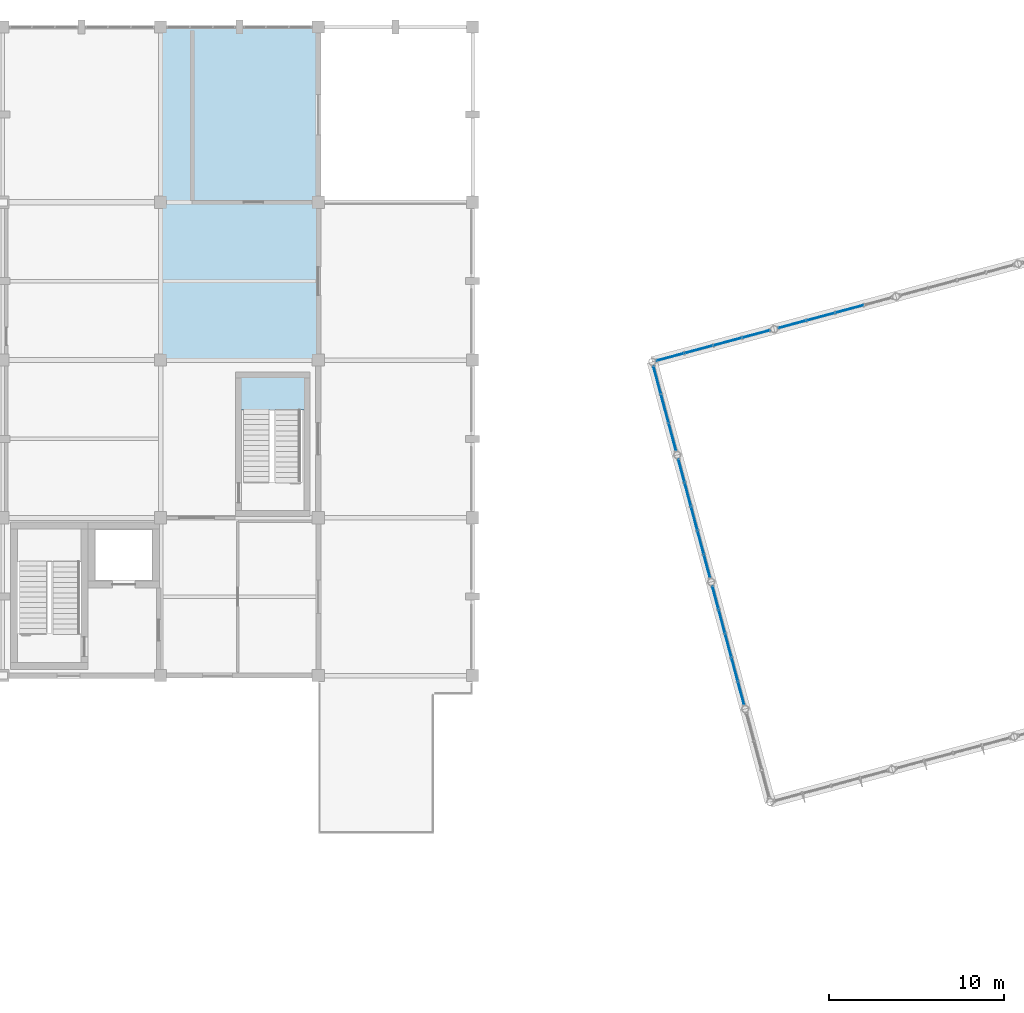
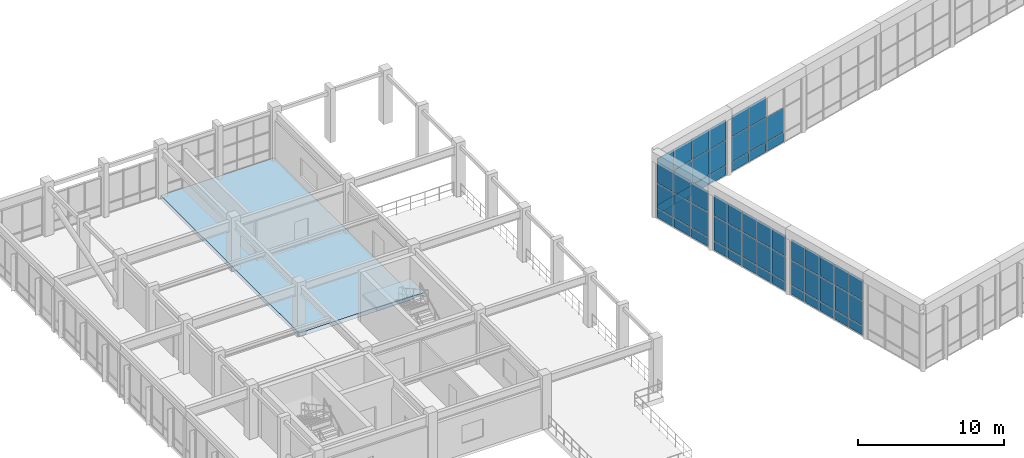
# One storey, part 39 of 55: 59 plates, 2 slabs, 6 elements without a shape of their own.
"""IFC4 building model written with IfcOpenShell, lengths in metres."""

from ifc_helpers import new_model, si_unit, direction, frame, origin, origin_2d, place, context, subcontext, project, spatial, polyline, rectangle, outline, extrude, material, layer, layer_set, type_object, element, aggregate, save


model = new_model("IFC4")

# Units and contexts
model_context = context("Model", 3, precision=1e-05, world=origin(), true_north=direction((0.0, 1.0)))
body_context = subcontext(model_context, "Body", "Model", "MODEL_VIEW")
ifc_project = project(units=[si_unit("LENGTHUNIT", "METRE"), si_unit("AREAUNIT", "SQUARE_METRE"), si_unit("VOLUMEUNIT", "CUBIC_METRE"), si_unit("PLANEANGLEUNIT", "RADIAN"), si_unit("MASSUNIT", "GRAM", prefix="KILO")], contexts=[model_context])

# Site, building, storey
site_placement = place(None, origin())
site = spatial("IfcSite", under=ifc_project, at=site_placement, CompositionType="ELEMENT")
building_placement = place(site_placement, origin())
building = spatial("IfcBuilding", under=site, at=building_placement, Name="Ventoquebrada Cableway Terminal", CompositionType="ELEMENT")
storey_placement = place(building_placement, frame((0.0, 0.0, 14.39990234375)))
storey = spatial("IfcBuildingStorey", under=building, at=storey_placement, Name="L03", CompositionType="ELEMENT", Elevation=14.39990234375)

# Curtain wall, plates
ifc_material_1 = material(Name="Anodized thermally-broken aluminium", Category="aluminium")
ifc_layer_1 = layer(ifc_material_1, 0.159912109375)
ifc_layer_set_1 = layer_set([ifc_layer_1], Name="Anodized thermally-broken aluminium")
curtain_wall_type_1 = type_object("IfcCurtainWallType", Name="CW-T42", PredefinedType="USERDEFINED", material=ifc_layer_set_1)
curtain_wall_1_placement = place(storey_placement, origin())
curtain_wall_1 = element("IfcCurtainWall", 1, at=curtain_wall_1_placement, inside=storey, type_object=curtain_wall_type_1, Name="Unitised glazed curtain wall CW-120", ObjectType="UNITISED CURTAIN WALL", PredefinedType="USERDEFINED")
ifc_material_2 = material(Name="Double low-e laminated safety glazing", Category="glass")
ifc_layer_2 = layer(ifc_material_2, 0.031982421875)
ifc_layer_set_2 = layer_set([ifc_layer_2], Name="Double low-e laminated safety glazing")
plate_type_1 = type_object("IfcPlateType", Name="CWP-GL1", PredefinedType="CURTAIN_PANEL", material=ifc_layer_set_2)
plate_1_placement = place(storey_placement, frame((51.166015625, 96.48388671875, 2.9697265625), z_axis=(0.0, 0.0, 1.0), x_axis=(-0.965912273231, -0.258869620506, 0.0)))
plate_1 = element("IfcPlate", 2, at=plate_1_placement, type_object=plate_type_1, Name="Vision glazing panel PN-1253", PredefinedType="CURTAIN_PANEL", context=body_context, shape_type="SweptSolid", body=[
    extrude(rectangle(XDim=1.60205078125, YDim=0.031982421875, at=origin_2d()), origin(), (0.0, 0.0, 1.0), 1.720947265625),
])
plate_2_placement = place(storey_placement, frame((49.544921875, 96.049072265625, 0.874267578125), z_axis=(0.0, 0.0, 1.0), x_axis=(-0.965912273231, -0.258869620506, 0.0)))
plate_2 = element("IfcPlate", 3, at=plate_2_placement, type_object=plate_type_1, Name="Vision glazing panel PN-1255", PredefinedType="CURTAIN_PANEL", context=body_context, shape_type="SweptSolid", body=[
    extrude(rectangle(XDim=1.636962890625, YDim=0.031982421875, at=origin_2d()), origin(), (0.0, 0.0, 1.0), 2.0458984375),
])
plate_3_placement = place(storey_placement, frame((47.906982421875, 95.611083984375, 2.9697265625), z_axis=(0.0, 0.0, 1.0), x_axis=(-0.965912273231, -0.258869620506, 0.0)))
plate_3 = element("IfcPlate", 4, at=plate_3_placement, type_object=plate_type_1, Name="Vision glazing panel PN-1259", PredefinedType="CURTAIN_PANEL", context=body_context, shape_type="SweptSolid", body=[
    extrude(rectangle(XDim=1.636962890625, YDim=0.031982421875, at=origin_2d()), origin(), (0.0, 0.0, 1.0), 1.720947265625),
])
plate_4_placement = place(storey_placement, frame((46.285888671875, 95.176025390625, 0.874267578125), z_axis=(0.0, 0.0, 1.0), x_axis=(-0.965912273231, -0.258869620506, 0.0)))
plate_4 = element("IfcPlate", 5, at=plate_4_placement, type_object=plate_type_1, Name="Vision glazing panel PN-1261", PredefinedType="CURTAIN_PANEL", context=body_context, shape_type="SweptSolid", body=[
    extrude(rectangle(XDim=1.60205078125, YDim=0.031982421875, at=origin_2d()), origin(), (0.0, 0.0, 1.0), 2.0458984375),
])

curtain_wall_2_placement = place(storey_placement, origin())
curtain_wall_2 = element("IfcCurtainWall", 6, at=curtain_wall_2_placement, inside=storey, type_object=curtain_wall_type_1, Name="Unitised glazed curtain wall CW-121", ObjectType="UNITISED CURTAIN WALL", PredefinedType="USERDEFINED")
plate_5_placement = place(storey_placement, frame((56.4990234375, 97.9130859375, 0.874267578125), z_axis=(0.0, 0.0, 1.0), x_axis=(-0.965957439792, -0.258701033069, 0.0)))
plate_5 = element("IfcPlate", 7, at=plate_5_placement, type_object=plate_type_1, Name="Vision glazing panel PN-1267", PredefinedType="CURTAIN_PANEL", context=body_context, shape_type="SweptSolid", body=[
    extrude(rectangle(XDim=1.636962890625, YDim=0.031982421875, at=origin_2d()), origin(), (0.0, 0.0, 1.0), 2.0458984375),
])
plate_6_placement = place(storey_placement, frame((54.861083984375, 97.47412109375, 2.9697265625), z_axis=(0.0, 0.0, 1.0), x_axis=(-0.965957439792, -0.258701033069, 0.0)))
plate_6 = element("IfcPlate", 8, at=plate_6_placement, type_object=plate_type_1, Name="Vision glazing panel PN-1271", PredefinedType="CURTAIN_PANEL", context=body_context, shape_type="SweptSolid", body=[
    extrude(rectangle(XDim=1.636962890625, YDim=0.031982421875, at=origin_2d()), origin(), (0.0, 0.0, 1.0), 1.720947265625),
])
plate_7_placement = place(storey_placement, frame((53.239990234375, 97.0400390625, 0.874267578125), z_axis=(0.0, 0.0, 1.0), x_axis=(-0.965957439792, -0.258701033069, 0.0)))
plate_7 = element("IfcPlate", 9, at=plate_7_placement, type_object=plate_type_1, Name="Vision glazing panel PN-1273", PredefinedType="CURTAIN_PANEL", context=body_context, shape_type="SweptSolid", body=[
    extrude(rectangle(XDim=1.60205078125, YDim=0.031982421875, at=origin_2d()), origin(), (0.0, 0.0, 1.0), 2.0458984375),
])

ifc_layer_3 = layer(ifc_material_1, 0.159912109375)
ifc_layer_set_3 = layer_set([ifc_layer_3], Name="Anodized thermally-broken aluminium")
curtain_wall_type_2 = type_object("IfcCurtainWallType", Name="CW-T44", PredefinedType="USERDEFINED", material=ifc_layer_set_3)
curtain_wall_3_placement = place(storey_placement, origin())
curtain_wall_3 = element("IfcCurtainWall", 10, at=curtain_wall_3_placement, inside=storey, type_object=curtain_wall_type_2, Name="Unitised glazed curtain wall CW-126", ObjectType="UNITISED CURTAIN WALL", PredefinedType="USERDEFINED")
plate_8_placement = place(storey_placement, frame((48.85498046875, 81.43896484375, 2.974609375), z_axis=(0.0, 0.0, 1.0), x_axis=(0.258785327773, -0.96593486019, 0.0)))
plate_8 = element("IfcPlate", 11, at=plate_8_placement, type_object=plate_type_1, Name="Vision glazing panel PN-1322", PredefinedType="CURTAIN_PANEL", context=body_context, shape_type="SweptSolid", body=[
    extrude(rectangle(XDim=1.322998046875, YDim=0.031982421875, at=origin_2d()), origin(), (0.0, 0.0, 1.0), 1.7109375),
])
plate_9_placement = place(storey_placement, frame((49.217041015625, 80.087890625, 0.87939453125), z_axis=(0.0, 0.0, 1.0), x_axis=(0.258785327773, -0.96593486019, 0.0)))
plate_9 = element("IfcPlate", 12, at=plate_9_placement, type_object=plate_type_1, Name="Vision glazing panel PN-1324", PredefinedType="CURTAIN_PANEL", context=body_context, shape_type="SweptSolid", body=[
    extrude(rectangle(XDim=1.35791015625, YDim=0.031982421875, at=origin_2d()), origin(), (0.0, 0.0, 1.0), 2.035888671875),
])
plate_10_placement = place(storey_placement, frame((49.583984375, 78.718994140625, 2.974609375), z_axis=(0.0, 0.0, 1.0), x_axis=(0.258785327773, -0.96593486019, 0.0)))
plate_10 = element("IfcPlate", 13, at=plate_10_placement, type_object=plate_type_1, Name="Vision glazing panel PN-1328", PredefinedType="CURTAIN_PANEL", context=body_context, shape_type="SweptSolid", body=[
    extrude(rectangle(XDim=1.35791015625, YDim=0.031982421875, at=origin_2d()), origin(), (0.0, 0.0, 1.0), 1.7109375),
])
plate_11_placement = place(storey_placement, frame((49.949951171875, 77.35009765625, 0.87939453125), z_axis=(0.0, 0.0, 1.0), x_axis=(0.258785327773, -0.96593486019, 0.0)))
plate_11 = element("IfcPlate", 14, at=plate_11_placement, type_object=plate_type_1, Name="Vision glazing panel PN-1330", PredefinedType="CURTAIN_PANEL", context=body_context, shape_type="SweptSolid", body=[
    extrude(rectangle(XDim=1.35791015625, YDim=0.031982421875, at=origin_2d()), origin(), (0.0, 0.0, 1.0), 2.035888671875),
])
plate_12_placement = place(storey_placement, frame((50.31201171875, 75.9990234375, 2.974609375), z_axis=(0.0, 0.0, 1.0), x_axis=(0.258785327773, -0.96593486019, 0.0)))
plate_12 = element("IfcPlate", 15, at=plate_12_placement, type_object=plate_type_1, Name="Vision glazing panel PN-1334", PredefinedType="CURTAIN_PANEL", context=body_context, shape_type="SweptSolid", body=[
    extrude(rectangle(XDim=1.322998046875, YDim=0.031982421875, at=origin_2d()), origin(), (0.0, 0.0, 1.0), 1.7109375),
])

curtain_wall_4_placement = place(storey_placement, origin())
curtain_wall_4 = element("IfcCurtainWall", 16, at=curtain_wall_4_placement, inside=storey, type_object=curtain_wall_type_2, Name="Unitised glazed curtain wall CW-127", ObjectType="UNITISED CURTAIN WALL", PredefinedType="USERDEFINED")
plate_13_placement = place(storey_placement, frame((46.9130859375, 88.68408203125, 2.974609375), z_axis=(0.0, 0.0, 1.0), x_axis=(0.258734751187, -0.965948408834, 0.0)))
plate_13 = element("IfcPlate", 17, at=plate_13_placement, type_object=plate_type_1, Name="Vision glazing panel PN-1337", PredefinedType="CURTAIN_PANEL", context=body_context, shape_type="SweptSolid", body=[
    extrude(rectangle(XDim=1.322998046875, YDim=0.031982421875, at=origin_2d()), origin(), (0.0, 0.0, 1.0), 1.7109375),
])
plate_14_placement = place(storey_placement, frame((47.27587890625, 87.33203125, 0.87939453125), z_axis=(0.0, 0.0, 1.0), x_axis=(0.258734751187, -0.965948408834, 0.0)))
plate_14 = element("IfcPlate", 18, at=plate_14_placement, type_object=plate_type_1, Name="Vision glazing panel PN-1339", PredefinedType="CURTAIN_PANEL", context=body_context, shape_type="SweptSolid", body=[
    extrude(rectangle(XDim=1.35791015625, YDim=0.031982421875, at=origin_2d()), origin(), (0.0, 0.0, 1.0), 2.035888671875),
])
plate_15_placement = place(storey_placement, frame((47.64208984375, 85.964111328125, 2.974609375), z_axis=(0.0, 0.0, 1.0), x_axis=(0.258734751187, -0.965948408834, 0.0)))
plate_15 = element("IfcPlate", 19, at=plate_15_placement, type_object=plate_type_1, Name="Vision glazing panel PN-1343", PredefinedType="CURTAIN_PANEL", context=body_context, shape_type="SweptSolid", body=[
    extrude(rectangle(XDim=1.35791015625, YDim=0.031982421875, at=origin_2d()), origin(), (0.0, 0.0, 1.0), 1.7109375),
])
plate_16_placement = place(storey_placement, frame((48.009033203125, 84.594970703125, 0.87939453125), z_axis=(0.0, 0.0, 1.0), x_axis=(0.258734751187, -0.965948408834, 0.0)))
plate_16 = element("IfcPlate", 20, at=plate_16_placement, type_object=plate_type_1, Name="Vision glazing panel PN-1345", PredefinedType="CURTAIN_PANEL", context=body_context, shape_type="SweptSolid", body=[
    extrude(rectangle(XDim=1.35791015625, YDim=0.031982421875, at=origin_2d()), origin(), (0.0, 0.0, 1.0), 2.035888671875),
])
plate_17_placement = place(storey_placement, frame((48.37109375, 83.242919921875, 2.974609375), z_axis=(0.0, 0.0, 1.0), x_axis=(0.258734751187, -0.965948408834, 0.0)))
plate_17 = element("IfcPlate", 21, at=plate_17_placement, type_object=plate_type_1, Name="Vision glazing panel PN-1349", PredefinedType="CURTAIN_PANEL", context=body_context, shape_type="SweptSolid", body=[
    extrude(rectangle(XDim=1.322998046875, YDim=0.031982421875, at=origin_2d()), origin(), (0.0, 0.0, 1.0), 1.7109375),
])

ifc_layer_4 = layer(ifc_material_1, 0.159912109375)
ifc_layer_set_4 = layer_set([ifc_layer_4], Name="Anodized thermally-broken aluminium")
curtain_wall_type_3 = type_object("IfcCurtainWallType", Name="CW-T43", PredefinedType="USERDEFINED", material=ifc_layer_set_4)
curtain_wall_5_placement = place(storey_placement, origin())
curtain_wall_5 = element("IfcCurtainWall", 22, at=curtain_wall_5_placement, inside=storey, type_object=curtain_wall_type_3, Name="Unitised glazed curtain wall CW-128", ObjectType="UNITISED CURTAIN WALL", PredefinedType="USERDEFINED")
plate_18_placement = place(storey_placement, frame((45.52587890625, 93.862060546875, 2.974609375), z_axis=(0.0, 0.0, 1.0), x_axis=(0.258701033069, -0.965957439792, 0.0)))
plate_18 = element("IfcPlate", 23, at=plate_18_placement, type_object=plate_type_1, Name="Vision glazing panel PN-1352", PredefinedType="CURTAIN_PANEL", context=body_context, shape_type="SweptSolid", body=[
    extrude(rectangle(XDim=1.60009765625, YDim=0.031982421875, at=origin_2d()), origin(), (0.0, 0.0, 1.0), 1.7109375),
])
plate_19_placement = place(storey_placement, frame((45.9599609375, 92.241943359375, 0.87939453125), z_axis=(0.0, 0.0, 1.0), x_axis=(0.258701033069, -0.965957439792, 0.0)))
plate_19 = element("IfcPlate", 24, at=plate_19_placement, type_object=plate_type_1, Name="Vision glazing panel PN-1354", PredefinedType="CURTAIN_PANEL", context=body_context, shape_type="SweptSolid", body=[
    extrude(rectangle(XDim=1.635009765625, YDim=0.031982421875, at=origin_2d()), origin(), (0.0, 0.0, 1.0), 2.035888671875),
])
plate_20_placement = place(storey_placement, frame((46.39501953125, 90.6220703125, 2.974609375), z_axis=(0.0, 0.0, 1.0), x_axis=(0.258701033069, -0.965957439792, 0.0)))
plate_20 = element("IfcPlate", 25, at=plate_20_placement, type_object=plate_type_1, Name="Vision glazing panel PN-1358", PredefinedType="CURTAIN_PANEL", context=body_context, shape_type="SweptSolid", body=[
    extrude(rectangle(XDim=1.60009765625, YDim=0.031982421875, at=origin_2d()), origin(), (0.0, 0.0, 1.0), 1.7109375),
])

# Plate
ifc_layer_5 = layer(ifc_material_2, 0.0380859375)
ifc_layer_set_5 = layer_set([ifc_layer_5], Name="Double low-e laminated safety glazing")
plate_type_2 = type_object("IfcPlateType", Name="CWP-GL2", PredefinedType="CURTAIN_PANEL", material=ifc_layer_set_5)
plate_21_placement = place(storey_placement, frame((51.166015625, 96.48388671875, 0.874267578125), z_axis=(0.0, 0.0, 1.0), x_axis=(-0.965912273231, -0.258869620506, 0.0)))
plate_21 = element("IfcPlate", 26, at=plate_21_placement, type_object=plate_type_2, Name="Vision glazing panel PN-1252", PredefinedType="CURTAIN_PANEL", context=body_context, shape_type="SweptSolid", body=[
    extrude(rectangle(XDim=1.60205078125, YDim=0.0380859375, at=origin_2d()), origin(), (0.0, 0.0, 1.0), 2.0458984375),
])

plate_22_placement = place(storey_placement, frame((49.544921875, 96.049072265625, 2.9697265625), z_axis=(0.0, 0.0, 1.0), x_axis=(-0.965912273231, -0.258869620506, 0.0)))
plate_22 = element("IfcPlate", 27, at=plate_22_placement, type_object=plate_type_2, Name="Vision glazing panel PN-1256", PredefinedType="CURTAIN_PANEL", context=body_context, shape_type="SweptSolid", body=[
    extrude(rectangle(XDim=1.636962890625, YDim=0.0380859375, at=origin_2d()), origin(), (0.0, 0.0, 1.0), 1.720947265625),
])

plate_23_placement = place(storey_placement, frame((47.906982421875, 95.611083984375, 0.874267578125), z_axis=(0.0, 0.0, 1.0), x_axis=(-0.965912273231, -0.258869620506, 0.0)))
plate_23 = element("IfcPlate", 28, at=plate_23_placement, type_object=plate_type_2, Name="Vision glazing panel PN-1258", PredefinedType="CURTAIN_PANEL", context=body_context, shape_type="SweptSolid", body=[
    extrude(rectangle(XDim=1.636962890625, YDim=0.0380859375, at=origin_2d()), origin(), (0.0, 0.0, 1.0), 2.0458984375),
])

plate_24_placement = place(storey_placement, frame((46.285888671875, 95.176025390625, 2.9697265625), z_axis=(0.0, 0.0, 1.0), x_axis=(-0.965912273231, -0.258869620506, 0.0)))
plate_24 = element("IfcPlate", 29, at=plate_24_placement, type_object=plate_type_2, Name="Vision glazing panel PN-1262", PredefinedType="CURTAIN_PANEL", context=body_context, shape_type="SweptSolid", body=[
    extrude(rectangle(XDim=1.60205078125, YDim=0.0380859375, at=origin_2d()), origin(), (0.0, 0.0, 1.0), 1.720947265625),
])

plate_25_placement = place(storey_placement, frame((54.861083984375, 97.47412109375, 0.874267578125), z_axis=(0.0, 0.0, 1.0), x_axis=(-0.965957439792, -0.258701033069, 0.0)))
plate_25 = element("IfcPlate", 30, at=plate_25_placement, type_object=plate_type_2, Name="Vision glazing panel PN-1270", PredefinedType="CURTAIN_PANEL", context=body_context, shape_type="SweptSolid", body=[
    extrude(rectangle(XDim=1.636962890625, YDim=0.0380859375, at=origin_2d()), origin(), (0.0, 0.0, 1.0), 2.0458984375),
])

plate_26_placement = place(storey_placement, frame((53.239990234375, 97.0400390625, 2.9697265625), z_axis=(0.0, 0.0, 1.0), x_axis=(-0.965957439792, -0.258701033069, 0.0)))
plate_26 = element("IfcPlate", 31, at=plate_26_placement, type_object=plate_type_2, Name="Vision glazing panel PN-1274", PredefinedType="CURTAIN_PANEL", context=body_context, shape_type="SweptSolid", body=[
    extrude(rectangle(XDim=1.60205078125, YDim=0.0380859375, at=origin_2d()), origin(), (0.0, 0.0, 1.0), 1.720947265625),
])

plate_27_placement = place(storey_placement, frame((48.85498046875, 81.43896484375, 0.87939453125), z_axis=(0.0, 0.0, 1.0), x_axis=(0.258785327773, -0.96593486019, 0.0)))
plate_27 = element("IfcPlate", 32, at=plate_27_placement, type_object=plate_type_2, Name="Vision glazing panel PN-1321", PredefinedType="CURTAIN_PANEL", context=body_context, shape_type="SweptSolid", body=[
    extrude(rectangle(XDim=1.322998046875, YDim=0.0380859375, at=origin_2d()), origin(), (0.0, 0.0, 1.0), 2.035888671875),
])

plate_28_placement = place(storey_placement, frame((49.217041015625, 80.087890625, 2.974609375), z_axis=(0.0, 0.0, 1.0), x_axis=(0.258785327773, -0.96593486019, 0.0)))
plate_28 = element("IfcPlate", 33, at=plate_28_placement, type_object=plate_type_2, Name="Vision glazing panel PN-1325", PredefinedType="CURTAIN_PANEL", context=body_context, shape_type="SweptSolid", body=[
    extrude(rectangle(XDim=1.35791015625, YDim=0.0380859375, at=origin_2d()), origin(), (0.0, 0.0, 1.0), 1.7109375),
])

plate_29_placement = place(storey_placement, frame((49.583984375, 78.718994140625, 0.87939453125), z_axis=(0.0, 0.0, 1.0), x_axis=(0.258785327773, -0.96593486019, 0.0)))
plate_29 = element("IfcPlate", 34, at=plate_29_placement, type_object=plate_type_2, Name="Vision glazing panel PN-1327", PredefinedType="CURTAIN_PANEL", context=body_context, shape_type="SweptSolid", body=[
    extrude(rectangle(XDim=1.35791015625, YDim=0.0380859375, at=origin_2d()), origin(), (0.0, 0.0, 1.0), 2.035888671875),
])

plate_30_placement = place(storey_placement, frame((49.949951171875, 77.35009765625, 2.974609375), z_axis=(0.0, 0.0, 1.0), x_axis=(0.258785327773, -0.96593486019, 0.0)))
plate_30 = element("IfcPlate", 35, at=plate_30_placement, type_object=plate_type_2, Name="Vision glazing panel PN-1331", PredefinedType="CURTAIN_PANEL", context=body_context, shape_type="SweptSolid", body=[
    extrude(rectangle(XDim=1.35791015625, YDim=0.0380859375, at=origin_2d()), origin(), (0.0, 0.0, 1.0), 1.7109375),
])

plate_31_placement = place(storey_placement, frame((50.31201171875, 75.9990234375, 0.87939453125), z_axis=(0.0, 0.0, 1.0), x_axis=(0.258785327773, -0.96593486019, 0.0)))
plate_31 = element("IfcPlate", 36, at=plate_31_placement, type_object=plate_type_2, Name="Vision glazing panel PN-1333", PredefinedType="CURTAIN_PANEL", context=body_context, shape_type="SweptSolid", body=[
    extrude(rectangle(XDim=1.322998046875, YDim=0.0380859375, at=origin_2d()), origin(), (0.0, 0.0, 1.0), 2.035888671875),
])

plate_32_placement = place(storey_placement, frame((46.9130859375, 88.68408203125, 0.87939453125), z_axis=(0.0, 0.0, 1.0), x_axis=(0.258734751187, -0.965948408834, 0.0)))
plate_32 = element("IfcPlate", 37, at=plate_32_placement, type_object=plate_type_2, Name="Vision glazing panel PN-1336", PredefinedType="CURTAIN_PANEL", context=body_context, shape_type="SweptSolid", body=[
    extrude(rectangle(XDim=1.322998046875, YDim=0.0380859375, at=origin_2d()), origin(), (0.0, 0.0, 1.0), 2.035888671875),
])

plate_33_placement = place(storey_placement, frame((47.27587890625, 87.33203125, 2.974609375), z_axis=(0.0, 0.0, 1.0), x_axis=(0.258734751187, -0.965948408834, 0.0)))
plate_33 = element("IfcPlate", 38, at=plate_33_placement, type_object=plate_type_2, Name="Vision glazing panel PN-1340", PredefinedType="CURTAIN_PANEL", context=body_context, shape_type="SweptSolid", body=[
    extrude(rectangle(XDim=1.35791015625, YDim=0.0380859375, at=origin_2d()), origin(), (0.0, 0.0, 1.0), 1.7109375),
])

plate_34_placement = place(storey_placement, frame((47.64208984375, 85.964111328125, 0.87939453125), z_axis=(0.0, 0.0, 1.0), x_axis=(0.258734751187, -0.965948408834, 0.0)))
plate_34 = element("IfcPlate", 39, at=plate_34_placement, type_object=plate_type_2, Name="Vision glazing panel PN-1342", PredefinedType="CURTAIN_PANEL", context=body_context, shape_type="SweptSolid", body=[
    extrude(rectangle(XDim=1.35791015625, YDim=0.0380859375, at=origin_2d()), origin(), (0.0, 0.0, 1.0), 2.035888671875),
])

plate_35_placement = place(storey_placement, frame((48.009033203125, 84.594970703125, 2.974609375), z_axis=(0.0, 0.0, 1.0), x_axis=(0.258734751187, -0.965948408834, 0.0)))
plate_35 = element("IfcPlate", 40, at=plate_35_placement, type_object=plate_type_2, Name="Vision glazing panel PN-1346", PredefinedType="CURTAIN_PANEL", context=body_context, shape_type="SweptSolid", body=[
    extrude(rectangle(XDim=1.35791015625, YDim=0.0380859375, at=origin_2d()), origin(), (0.0, 0.0, 1.0), 1.7109375),
])

plate_36_placement = place(storey_placement, frame((48.37109375, 83.242919921875, 0.87939453125), z_axis=(0.0, 0.0, 1.0), x_axis=(0.258734751187, -0.965948408834, 0.0)))
plate_36 = element("IfcPlate", 41, at=plate_36_placement, type_object=plate_type_2, Name="Vision glazing panel PN-1348", PredefinedType="CURTAIN_PANEL", context=body_context, shape_type="SweptSolid", body=[
    extrude(rectangle(XDim=1.322998046875, YDim=0.0380859375, at=origin_2d()), origin(), (0.0, 0.0, 1.0), 2.035888671875),
])

plate_37_placement = place(storey_placement, frame((45.52587890625, 93.862060546875, 0.87939453125), z_axis=(0.0, 0.0, 1.0), x_axis=(0.258701033069, -0.965957439792, 0.0)))
plate_37 = element("IfcPlate", 42, at=plate_37_placement, type_object=plate_type_2, Name="Vision glazing panel PN-1351", PredefinedType="CURTAIN_PANEL", context=body_context, shape_type="SweptSolid", body=[
    extrude(rectangle(XDim=1.60009765625, YDim=0.0380859375, at=origin_2d()), origin(), (0.0, 0.0, 1.0), 2.035888671875),
])

plate_38_placement = place(storey_placement, frame((45.9599609375, 92.241943359375, 2.974609375), z_axis=(0.0, 0.0, 1.0), x_axis=(0.258701033069, -0.965957439792, 0.0)))
plate_38 = element("IfcPlate", 43, at=plate_38_placement, type_object=plate_type_2, Name="Vision glazing panel PN-1355", PredefinedType="CURTAIN_PANEL", context=body_context, shape_type="SweptSolid", body=[
    extrude(rectangle(XDim=1.635009765625, YDim=0.0380859375, at=origin_2d()), origin(), (0.0, 0.0, 1.0), 1.7109375),
])

plate_39_placement = place(storey_placement, frame((46.39501953125, 90.6220703125, 0.87939453125), z_axis=(0.0, 0.0, 1.0), x_axis=(0.258701033069, -0.965957439792, 0.0)))
plate_39 = element("IfcPlate", 44, at=plate_39_placement, type_object=plate_type_2, Name="Vision glazing panel PN-1357", PredefinedType="CURTAIN_PANEL", context=body_context, shape_type="SweptSolid", body=[
    extrude(rectangle(XDim=1.60009765625, YDim=0.0380859375, at=origin_2d()), origin(), (0.0, 0.0, 1.0), 2.035888671875),
])

ifc_material_3 = material(Name="Insulated aluminium spandrel cassette", Category="aluminium")
ifc_layer_6 = layer(ifc_material_3, 0.044921875)
ifc_layer_set_6 = layer_set([ifc_layer_6], Name="Insulated aluminium spandrel cassette")
plate_type_3 = type_object("IfcPlateType", Name="CWP-SP1", PredefinedType="CURTAIN_PANEL", material=ifc_layer_set_6)
plate_40_placement = place(storey_placement, frame((51.166015625, 96.48388671875, 0.06005859375), z_axis=(0.0, 0.0, 1.0), x_axis=(-0.965912273231, -0.258869620506, 0.0)))
plate_40 = element("IfcPlate", 45, at=plate_40_placement, type_object=plate_type_3, Name="Insulated spandrel panel PN-1251", PredefinedType="CURTAIN_PANEL", context=body_context, shape_type="SweptSolid", body=[
    extrude(rectangle(XDim=1.60205078125, YDim=0.044921875, at=origin_2d()), origin(), (0.0, 0.0, 1.0), 0.76611328125),
])

plate_41_placement = place(storey_placement, frame((49.544921875, 96.049072265625, 0.06005859375), z_axis=(0.0, 0.0, 1.0), x_axis=(-0.965912273231, -0.258869620506, 0.0)))
plate_41 = element("IfcPlate", 46, at=plate_41_placement, type_object=plate_type_3, Name="Insulated spandrel panel PN-1254", PredefinedType="CURTAIN_PANEL", context=body_context, shape_type="SweptSolid", body=[
    extrude(rectangle(XDim=1.636962890625, YDim=0.044921875, at=origin_2d()), origin(), (0.0, 0.0, 1.0), 0.76611328125),
])

plate_42_placement = place(storey_placement, frame((47.906982421875, 95.611083984375, 0.06005859375), z_axis=(0.0, 0.0, 1.0), x_axis=(-0.965912273231, -0.258869620506, 0.0)))
plate_42 = element("IfcPlate", 47, at=plate_42_placement, type_object=plate_type_3, Name="Insulated spandrel panel PN-1257", PredefinedType="CURTAIN_PANEL", context=body_context, shape_type="SweptSolid", body=[
    extrude(rectangle(XDim=1.636962890625, YDim=0.044921875, at=origin_2d()), origin(), (0.0, 0.0, 1.0), 0.76611328125),
])

plate_43_placement = place(storey_placement, frame((46.285888671875, 95.176025390625, 0.06005859375), z_axis=(0.0, 0.0, 1.0), x_axis=(-0.965912273231, -0.258869620506, 0.0)))
plate_43 = element("IfcPlate", 48, at=plate_43_placement, type_object=plate_type_3, Name="Insulated spandrel panel PN-1260", PredefinedType="CURTAIN_PANEL", context=body_context, shape_type="SweptSolid", body=[
    extrude(rectangle(XDim=1.60205078125, YDim=0.044921875, at=origin_2d()), origin(), (0.0, 0.0, 1.0), 0.76611328125),
])

aggregate(curtain_wall_1, [plate_40, plate_21, plate_1, plate_41, plate_2, plate_22, plate_42, plate_23, plate_3, plate_43, plate_4, plate_24])

plate_44_placement = place(storey_placement, frame((56.4990234375, 97.9130859375, 0.06005859375), z_axis=(0.0, 0.0, 1.0), x_axis=(-0.965957439792, -0.258701033069, 0.0)))
plate_44 = element("IfcPlate", 49, at=plate_44_placement, type_object=plate_type_3, Name="Insulated spandrel panel PN-1266", PredefinedType="CURTAIN_PANEL", context=body_context, shape_type="SweptSolid", body=[
    extrude(rectangle(XDim=1.636962890625, YDim=0.044921875, at=origin_2d()), origin(), (0.0, 0.0, 1.0), 0.76611328125),
])

plate_45_placement = place(storey_placement, frame((54.861083984375, 97.47412109375, 0.06005859375), z_axis=(0.0, 0.0, 1.0), x_axis=(-0.965957439792, -0.258701033069, 0.0)))
plate_45 = element("IfcPlate", 50, at=plate_45_placement, type_object=plate_type_3, Name="Insulated spandrel panel PN-1269", PredefinedType="CURTAIN_PANEL", context=body_context, shape_type="SweptSolid", body=[
    extrude(rectangle(XDim=1.636962890625, YDim=0.044921875, at=origin_2d()), origin(), (0.0, 0.0, 1.0), 0.76611328125),
])

plate_46_placement = place(storey_placement, frame((53.239990234375, 97.0400390625, 0.06005859375), z_axis=(0.0, 0.0, 1.0), x_axis=(-0.965957439792, -0.258701033069, 0.0)))
plate_46 = element("IfcPlate", 51, at=plate_46_placement, type_object=plate_type_3, Name="Insulated spandrel panel PN-1272", PredefinedType="CURTAIN_PANEL", context=body_context, shape_type="SweptSolid", body=[
    extrude(rectangle(XDim=1.60205078125, YDim=0.044921875, at=origin_2d()), origin(), (0.0, 0.0, 1.0), 0.76611328125),
])

aggregate(curtain_wall_2, [plate_44, plate_5, plate_45, plate_25, plate_6, plate_46, plate_7, plate_26])

plate_47_placement = place(storey_placement, frame((48.85498046875, 81.43896484375, 0.06494140625), z_axis=(0.0, 0.0, 1.0), x_axis=(0.258785327773, -0.96593486019, 0.0)))
plate_47 = element("IfcPlate", 52, at=plate_47_placement, type_object=plate_type_3, Name="Insulated spandrel panel PN-1320", PredefinedType="CURTAIN_PANEL", context=body_context, shape_type="SweptSolid", body=[
    extrude(rectangle(XDim=1.322998046875, YDim=0.044921875, at=origin_2d()), origin(), (0.0, 0.0, 1.0), 0.756103515625),
])

plate_48_placement = place(storey_placement, frame((49.217041015625, 80.087890625, 0.06494140625), z_axis=(0.0, 0.0, 1.0), x_axis=(0.258785327773, -0.96593486019, 0.0)))
plate_48 = element("IfcPlate", 53, at=plate_48_placement, type_object=plate_type_3, Name="Insulated spandrel panel PN-1323", PredefinedType="CURTAIN_PANEL", context=body_context, shape_type="SweptSolid", body=[
    extrude(rectangle(XDim=1.35791015625, YDim=0.044921875, at=origin_2d()), origin(), (0.0, 0.0, 1.0), 0.756103515625),
])

plate_49_placement = place(storey_placement, frame((49.583984375, 78.718994140625, 0.06494140625), z_axis=(0.0, 0.0, 1.0), x_axis=(0.258785327773, -0.96593486019, 0.0)))
plate_49 = element("IfcPlate", 54, at=plate_49_placement, type_object=plate_type_3, Name="Insulated spandrel panel PN-1326", PredefinedType="CURTAIN_PANEL", context=body_context, shape_type="SweptSolid", body=[
    extrude(rectangle(XDim=1.35791015625, YDim=0.044921875, at=origin_2d()), origin(), (0.0, 0.0, 1.0), 0.756103515625),
])

plate_50_placement = place(storey_placement, frame((49.949951171875, 77.35009765625, 0.06494140625), z_axis=(0.0, 0.0, 1.0), x_axis=(0.258785327773, -0.96593486019, 0.0)))
plate_50 = element("IfcPlate", 55, at=plate_50_placement, type_object=plate_type_3, Name="Insulated spandrel panel PN-1329", PredefinedType="CURTAIN_PANEL", context=body_context, shape_type="SweptSolid", body=[
    extrude(rectangle(XDim=1.35791015625, YDim=0.044921875, at=origin_2d()), origin(), (0.0, 0.0, 1.0), 0.756103515625),
])

plate_51_placement = place(storey_placement, frame((50.31201171875, 75.9990234375, 0.06494140625), z_axis=(0.0, 0.0, 1.0), x_axis=(0.258785327773, -0.96593486019, 0.0)))
plate_51 = element("IfcPlate", 56, at=plate_51_placement, type_object=plate_type_3, Name="Insulated spandrel panel PN-1332", PredefinedType="CURTAIN_PANEL", context=body_context, shape_type="SweptSolid", body=[
    extrude(rectangle(XDim=1.322998046875, YDim=0.044921875, at=origin_2d()), origin(), (0.0, 0.0, 1.0), 0.756103515625),
])

aggregate(curtain_wall_3, [plate_47, plate_27, plate_8, plate_48, plate_9, plate_28, plate_49, plate_29, plate_10, plate_50, plate_11, plate_30, plate_51, plate_31, plate_12])

plate_52_placement = place(storey_placement, frame((46.9130859375, 88.68408203125, 0.06494140625), z_axis=(0.0, 0.0, 1.0), x_axis=(0.258734751187, -0.965948408834, 0.0)))
plate_52 = element("IfcPlate", 57, at=plate_52_placement, type_object=plate_type_3, Name="Insulated spandrel panel PN-1335", PredefinedType="CURTAIN_PANEL", context=body_context, shape_type="SweptSolid", body=[
    extrude(rectangle(XDim=1.322998046875, YDim=0.044921875, at=origin_2d()), origin(), (0.0, 0.0, 1.0), 0.756103515625),
])

plate_53_placement = place(storey_placement, frame((47.27587890625, 87.33203125, 0.06494140625), z_axis=(0.0, 0.0, 1.0), x_axis=(0.258734751187, -0.965948408834, 0.0)))
plate_53 = element("IfcPlate", 58, at=plate_53_placement, type_object=plate_type_3, Name="Insulated spandrel panel PN-1338", PredefinedType="CURTAIN_PANEL", context=body_context, shape_type="SweptSolid", body=[
    extrude(rectangle(XDim=1.35791015625, YDim=0.044921875, at=origin_2d()), origin(), (0.0, 0.0, 1.0), 0.756103515625),
])

plate_54_placement = place(storey_placement, frame((47.64208984375, 85.964111328125, 0.06494140625), z_axis=(0.0, 0.0, 1.0), x_axis=(0.258734751187, -0.965948408834, 0.0)))
plate_54 = element("IfcPlate", 59, at=plate_54_placement, type_object=plate_type_3, Name="Insulated spandrel panel PN-1341", PredefinedType="CURTAIN_PANEL", context=body_context, shape_type="SweptSolid", body=[
    extrude(rectangle(XDim=1.35791015625, YDim=0.044921875, at=origin_2d()), origin(), (0.0, 0.0, 1.0), 0.756103515625),
])

plate_55_placement = place(storey_placement, frame((48.009033203125, 84.594970703125, 0.06494140625), z_axis=(0.0, 0.0, 1.0), x_axis=(0.258734751187, -0.965948408834, 0.0)))
plate_55 = element("IfcPlate", 60, at=plate_55_placement, type_object=plate_type_3, Name="Insulated spandrel panel PN-1344", PredefinedType="CURTAIN_PANEL", context=body_context, shape_type="SweptSolid", body=[
    extrude(rectangle(XDim=1.35791015625, YDim=0.044921875, at=origin_2d()), origin(), (0.0, 0.0, 1.0), 0.756103515625),
])

plate_56_placement = place(storey_placement, frame((48.37109375, 83.242919921875, 0.06494140625), z_axis=(0.0, 0.0, 1.0), x_axis=(0.258734751187, -0.965948408834, 0.0)))
plate_56 = element("IfcPlate", 61, at=plate_56_placement, type_object=plate_type_3, Name="Insulated spandrel panel PN-1347", PredefinedType="CURTAIN_PANEL", context=body_context, shape_type="SweptSolid", body=[
    extrude(rectangle(XDim=1.322998046875, YDim=0.044921875, at=origin_2d()), origin(), (0.0, 0.0, 1.0), 0.756103515625),
])

aggregate(curtain_wall_4, [plate_52, plate_32, plate_13, plate_53, plate_14, plate_33, plate_54, plate_34, plate_15, plate_55, plate_16, plate_35, plate_56, plate_36, plate_17])

plate_57_placement = place(storey_placement, frame((45.52587890625, 93.862060546875, 0.06494140625), z_axis=(0.0, 0.0, 1.0), x_axis=(0.258701033069, -0.965957439792, 0.0)))
plate_57 = element("IfcPlate", 62, at=plate_57_placement, type_object=plate_type_3, Name="Insulated spandrel panel PN-1350", PredefinedType="CURTAIN_PANEL", context=body_context, shape_type="SweptSolid", body=[
    extrude(rectangle(XDim=1.60009765625, YDim=0.044921875, at=origin_2d()), origin(), (0.0, 0.0, 1.0), 0.756103515625),
])

plate_58_placement = place(storey_placement, frame((45.9599609375, 92.241943359375, 0.06494140625), z_axis=(0.0, 0.0, 1.0), x_axis=(0.258701033069, -0.965957439792, 0.0)))
plate_58 = element("IfcPlate", 63, at=plate_58_placement, type_object=plate_type_3, Name="Insulated spandrel panel PN-1353", PredefinedType="CURTAIN_PANEL", context=body_context, shape_type="SweptSolid", body=[
    extrude(rectangle(XDim=1.635009765625, YDim=0.044921875, at=origin_2d()), origin(), (0.0, 0.0, 1.0), 0.756103515625),
])

plate_59_placement = place(storey_placement, frame((46.39501953125, 90.6220703125, 0.06494140625), z_axis=(0.0, 0.0, 1.0), x_axis=(0.258701033069, -0.965957439792, 0.0)))
plate_59 = element("IfcPlate", 64, at=plate_59_placement, type_object=plate_type_3, Name="Insulated spandrel panel PN-1356", PredefinedType="CURTAIN_PANEL", context=body_context, shape_type="SweptSolid", body=[
    extrude(rectangle(XDim=1.60009765625, YDim=0.044921875, at=origin_2d()), origin(), (0.0, 0.0, 1.0), 0.756103515625),
])

aggregate(curtain_wall_5, [plate_57, plate_37, plate_18, plate_58, plate_19, plate_38, plate_59, plate_39, plate_20])

# Slab
ifc_material_4 = material(Name="Concrete C40/50", Category="concrete")
ifc_layer_7 = layer(ifc_material_4, 0.3349609375)
ifc_layer_set_7 = layer_set([ifc_layer_7], Name="Concrete C40/50")
slab_type_1 = type_object("IfcSlabType", Name="SL-FL3", PredefinedType="FLOOR", material=ifc_layer_set_7)
slab_1_placement = place(storey_placement, frame((0.0, 0.0, -0.3349609375)))
element("IfcSlab", 65, at=slab_1_placement, inside=storey, type_object=slab_type_1, Name="Reinforced concrete floor slab SL-030", PredefinedType="FLOOR", context=body_context, shape_type="SweptSolid", body=[
    extrude(outline(polyline([(26.199951171875, 95.0), (26.199951171875, 114.0), (17.199951171875, 114.0), (17.199951171875, 95.0), (26.199951171875, 95.0)])), origin(), (0.0, 0.0, 1.0), 0.3349609375),
])

# Stair, slab
stair_type = type_object("IfcStairType", Name="ST-T06", PredefinedType="HALF_TURN_STAIR", material=ifc_material_4)
stair_placement = place(storey_placement, origin())
stair = element("IfcStair", 66, at=stair_placement, inside=storey, type_object=stair_type, Name="Protected half-turn stair ST-18", PredefinedType="HALF_TURN_STAIR")
ifc_layer_8 = layer(ifc_material_4, 0.219970703125)
ifc_layer_set_8 = layer_set([ifc_layer_8], Name="Concrete C40/50")
slab_type_2 = type_object("IfcSlabType", Name="SL-LD1", PredefinedType="LANDING", material=ifc_layer_set_8)
slab_2_placement = place(storey_placement, frame((0.0, 0.0, 2.030029296875)))
slab_2 = element("IfcSlab", 67, at=slab_2_placement, type_object=slab_type_2, Name="Intermediate stair landing LDG-018", PredefinedType="LANDING", context=body_context, shape_type="SweptSolid", body=[
    extrude(outline(polyline([(25.4599609375, 92.139892578125), (25.4599609375, 94.06005859375), (21.679931640625, 94.06005859375), (21.679931640625, 92.139892578125), (25.4599609375, 92.139892578125)])), origin(), (0.0, 0.0, 1.0), 0.219970703125),
])
aggregate(stair, [slab_2])

save(model, "model.ifc")
